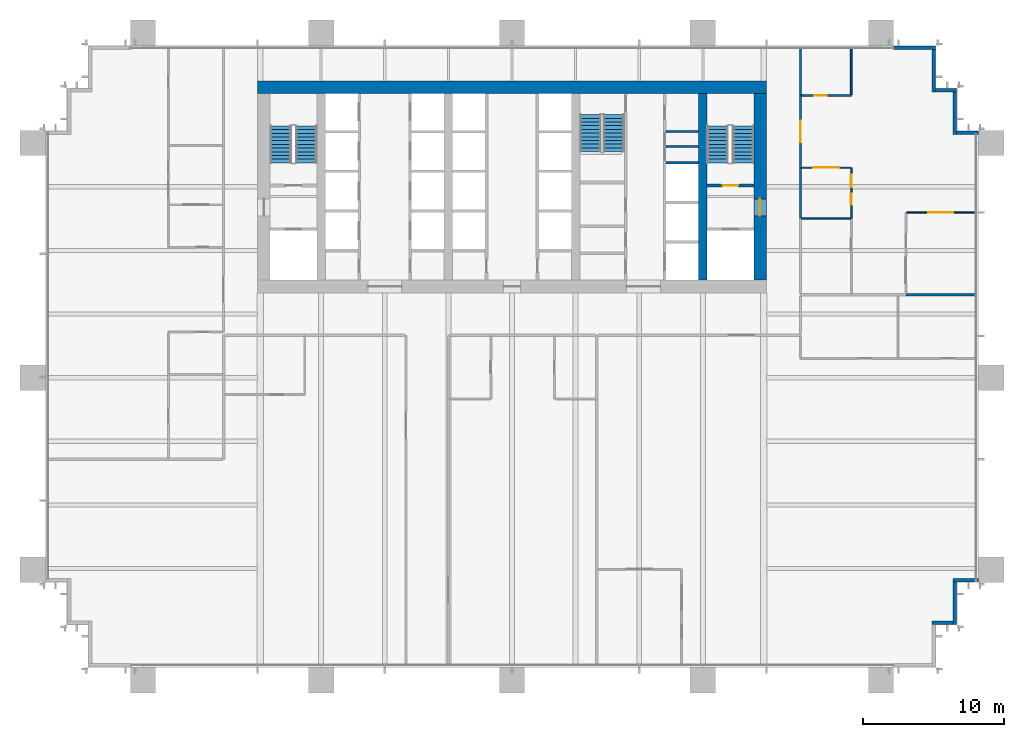
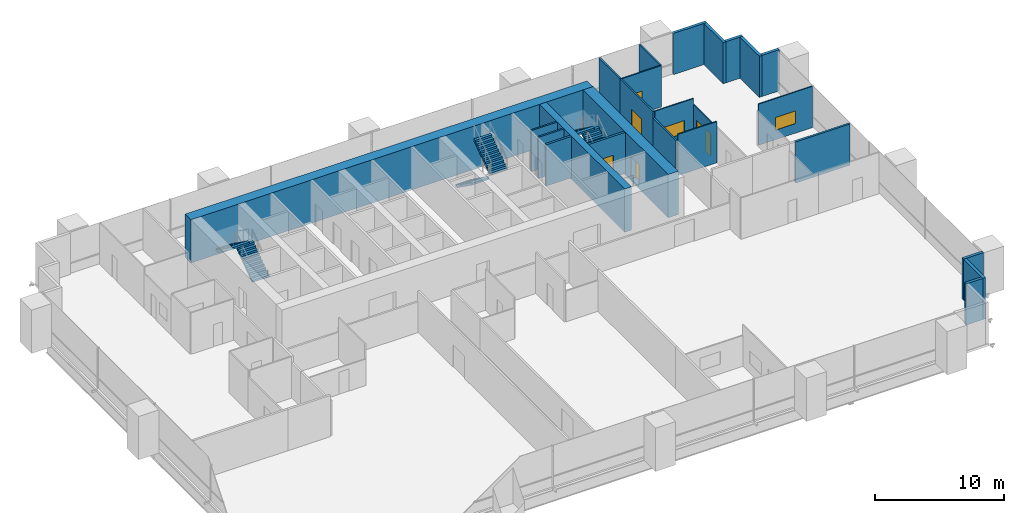
# One storey, part 14 of 17: 25 walls, 6 stair flights, 5 doors, 3 windows, 8 openings, 3 elements without a shape of their own.
"""IFC4 building model written with IfcOpenShell, lengths in metres."""

from ifc_helpers import new_model, si_unit, direction, frame, frame_2d, origin, place, context, subcontext, project, spatial, polyline, rectangle, outline, extrude, material, layer, layer_set, type_object, element, fill, aggregate, save


model = new_model("IFC4")

# Units and contexts
model_context = context("Model", 3, precision=1e-05, world=origin(), true_north=direction((0.0, 1.0)))
body_context = subcontext(model_context, "Body", "Model", "MODEL_VIEW")
ifc_project = project(units=[si_unit("LENGTHUNIT", "METRE"), si_unit("AREAUNIT", "SQUARE_METRE"), si_unit("VOLUMEUNIT", "CUBIC_METRE"), si_unit("PLANEANGLEUNIT", "RADIAN"), si_unit("MASSUNIT", "GRAM", prefix="KILO")], contexts=[model_context])

# Site, building, storey
site_placement = place(None, origin())
site = spatial("IfcSite", under=ifc_project, at=site_placement, CompositionType="ELEMENT")
building_placement = place(site_placement, origin())
building = spatial("IfcBuilding", under=site, at=building_placement, Name="Rattan Terrace Tower", CompositionType="ELEMENT")
storey_placement = place(building_placement, frame((0.0, 0.0, 48.800048828125)))
storey = spatial("IfcBuildingStorey", under=building, at=storey_placement, Name="L10", CompositionType="ELEMENT", Elevation=48.800048828125)

# Walls
ifc_material_1 = material(Name="Gypsum board partition")
ifc_layer_1 = layer(ifc_material_1, 0.14990234375)
ifc_layer_set_1 = layer_set([ifc_layer_1], Name="Core partition 150")
wall_type_1 = type_object("IfcWallType", Name="Core partition 150", PredefinedType="PARTITIONING", material=ifc_layer_set_1)
for number, where, z_axis, x_axis, name in (
    (1, (10.89990234375, 2.85595703125, 0.0), (0.0, 0.0, 1.0), (1.0, 0.0, 0.0), "Riser room wall"),
    (2, (10.89990234375, 3.912109375, 0.0), (0.0, 0.0, 1.0), (1.0, 0.0, 0.0), "Riser room wall"),
):
    element("IfcWall", number, at=place(storey_placement, frame(where, z_axis=z_axis, x_axis=x_axis)), inside=storey, type_object=wall_type_1, Name=name, PredefinedType="PARTITIONING", context=body_context, shape_type="SweptSolid", body=[
        extrude(rectangle(XDim=2.300048828125, YDim=0.14990234375, at=frame_2d((1.14990234375, 0.0))), origin(), (0.0, 0.0, 1.0), 3.89990234375),
    ])

# Wall, opening, door
ifc_material_2 = material(Name="Gypsum board partition")
ifc_layer_2 = layer(ifc_material_2, 0.199951171875)
ifc_layer_set_2 = layer_set([ifc_layer_2], Name="Core partition 200")
wall_type_2 = type_object("IfcWallType", Name="Core partition 200", PredefinedType="PARTITIONING", material=ifc_layer_set_2)
wall_1_placement = place(storey_placement, frame((13.800048828125, 0.10009765625, 0.0), z_axis=(0.0, 0.0, 1.0), x_axis=(1.0, 0.0, 0.0)))
wall_1 = element("IfcWall", 3, at=wall_1_placement, inside=storey, type_object=wall_type_2, Name="Stair enclosure wall", PredefinedType="PARTITIONING", context=body_context, shape_type="SweptSolid", body=[
    extrude(rectangle(XDim=3.300048828125, YDim=0.199951171875, at=frame_2d((1.64990234375, 0.0))), origin(), (0.0, 0.0, 1.0), 3.89990234375),
])
opening_1_placement = place(wall_1_placement, frame((1.10009765625, 0.0, 0.0)))
opening_1 = element("IfcOpeningElement", 4, at=opening_1_placement, cuts=wall_1, Name="Opening L10-D004", PredefinedType="OPENING", context=body_context, shape_type="SweptSolid", body=[
    extrude(rectangle(XDim=1.10009765625, YDim=2.10009765625, at=frame_2d((0.550048828125, 1.050048828125))), frame((0.0, 0.110595703125, 0.0), z_axis=(0.0, -1.0, 0.0), x_axis=(1.0, 0.0, 0.0)), (0.0, 0.0, 1.0), 0.220947265625),
])
ifc_material_3 = material(Name="Hollow-metal fire door leaf")
door_type_1 = type_object("IfcDoorType", Name="Core stair door 1100", OperationType="NOTDEFINED", PredefinedType="DOOR", material=ifc_material_3)
door_1_placement = place(opening_1_placement, origin())
door_1 = element("IfcDoor", 5, at=door_1_placement, inside=storey, type_object=door_type_1, Name="Door L10-D004", OperationType="SINGLE_SWING_RIGHT", OverallHeight=2.10009765625, OverallWidth=1.10009765625, PredefinedType="DOOR", context=body_context, shape_type="SweptSolid", body=[
    extrude(rectangle(XDim=1.10009765625, YDim=2.10009765625, at=frame_2d((0.550048828125, 1.050048828125))), frame((0.0, 0.02490234375, 0.0), z_axis=(0.0, -1.0, 0.0), x_axis=(1.0, 0.0, 0.0)), (0.0, 0.0, 1.0), 0.050048828125),
])
fill(opening_1, door_1)

# Wall
ifc_material_4 = material(Name="Concrete C70/85", Category="concrete")
ifc_layer_3 = layer(ifc_material_4, 0.89990234375)
ifc_layer_set_3 = layer_set([ifc_layer_3], Name="Core ring wall 900 C70/85")
wall_type_3 = type_object("IfcWallType", Name="Core ring wall 900 C70/85", PredefinedType="SHEAR", material=ifc_layer_set_3)
wall_2_placement = place(storey_placement, frame((-18.0, 7.050048828125, -0.199951171875), z_axis=(0.0, 0.0, 1.0), x_axis=(1.0, 0.0, 0.0)))
element("IfcWall", 6, at=wall_2_placement, inside=storey, type_object=wall_type_3, Name="Rear core wall north", PredefinedType="SHEAR", context=body_context, shape_type="SweptSolid", body=[
    extrude(rectangle(XDim=36.0, YDim=0.89990234375, at=frame_2d((18.0, 0.0))), origin(), (0.0, 0.0, 1.0), 4.099853515625),
])

# Wall, opening, door
wall_3_placement = place(storey_placement, frame((17.550048828125, -6.60009765625, -0.199951171875), z_axis=(0.0, 0.0, 1.0), x_axis=(0.0, 1.0, 0.0)))
wall_3 = element("IfcWall", 7, at=wall_3_placement, inside=storey, type_object=wall_type_3, Name="Rear core wall east", PredefinedType="SHEAR", context=body_context, shape_type="SweptSolid", body=[
    extrude(rectangle(XDim=13.2001953125, YDim=0.89990234375, at=frame_2d((6.60009765625, 0.0))), origin(), (0.0, 0.0, 1.0), 4.099853515625),
])
opening_2_placement = place(wall_3_placement, frame((4.550048828125, 0.0, 0.199951171875)))
opening_2 = element("IfcOpeningElement", 8, at=opening_2_placement, cuts=wall_3, Name="Opening L10-D003", PredefinedType="OPENING", context=body_context, shape_type="SweptSolid", body=[
    extrude(rectangle(XDim=1.199951171875, YDim=2.10009765625, at=frame_2d((0.60009765625, 1.050048828125))), frame((0.0, 0.46044921875, 0.0), z_axis=(0.0, -1.0, 0.0), x_axis=(1.0, 0.0, 0.0)), (0.0, 0.0, 1.0), 0.9208984375),
])
ifc_material_5 = material(Name="Hollow-metal fire door leaf")
door_type_2 = type_object("IfcDoorType", Name="Core fire-fighting lobby door 1200", OperationType="NOTDEFINED", PredefinedType="DOOR", material=ifc_material_5)
door_2_placement = place(opening_2_placement, origin())
door_2 = element("IfcDoor", 9, at=door_2_placement, inside=storey, type_object=door_type_2, Name="Door L10-D003", OperationType="SINGLE_SWING_LEFT", OverallHeight=2.10009765625, OverallWidth=1.199951171875, PredefinedType="DOOR", context=body_context, shape_type="SweptSolid", body=[
    extrude(rectangle(XDim=1.199951171875, YDim=2.10009765625, at=frame_2d((0.60009765625, 1.050048828125))), frame((0.0, 0.02490234375, 0.0), z_axis=(0.0, -1.0, 0.0), x_axis=(1.0, 0.0, 0.0)), (0.0, 0.0, 1.0), 0.050048828125),
])
fill(opening_2, door_2)

# Walls
ifc_material_6 = material(Name="Concrete C70/85", Category="concrete")
ifc_layer_4 = layer(ifc_material_6, 0.60009765625)
ifc_layer_set_4 = layer_set([ifc_layer_4], Name="Core spine wall 600 C70/85")
wall_type_4 = type_object("IfcWallType", Name="Core spine wall 600 C70/85", PredefinedType="SHEAR", material=ifc_layer_set_4)
wall_4_placement = place(storey_placement, frame((13.5, -6.60009765625, -0.199951171875), z_axis=(0.0, 0.0, 1.0), x_axis=(0.0, 1.0, 0.0)))
element("IfcWall", 10, at=wall_4_placement, inside=storey, type_object=wall_type_4, Name="Core spine wall 4", PredefinedType="SHEAR", context=body_context, shape_type="SweptSolid", body=[
    extrude(rectangle(XDim=13.2001953125, YDim=0.60009765625, at=frame_2d((6.60009765625, 0.0))), origin(), (0.0, 0.0, 1.0), 4.099853515625),
])
ifc_material_7 = material(Name="Insulated aluminium-clad stud wall", Category="aluminium")
ifc_layer_5 = layer(ifc_material_7, 0.25)
ifc_layer_set_5 = layer_set([ifc_layer_5], Name="Facade Riser Wall 250")
wall_type_5 = type_object("IfcWallType", Name="Facade Riser Wall 250", PredefinedType="SOLIDWALL", material=ifc_layer_set_5)
wall_5_placement = place(storey_placement, frame((29.705078125, -30.830078125, 0.0), z_axis=(0.0, 0.0, 1.0), x_axis=(1.0, 0.0, 0.0)))
element("IfcWall", 11, at=wall_5_placement, inside=storey, type_object=wall_type_5, Name="Riser wall L10-3", PredefinedType="SOLIDWALL", context=body_context, shape_type="SweptSolid", body=[
    extrude(rectangle(XDim=1.5, YDim=0.25, at=frame_2d((0.75, 0.0))), origin(), (0.0, 0.0, 1.0), 3.89990234375),
])
wall_6_placement = place(storey_placement, frame((31.330078125, -30.955078125, 0.0), z_axis=(0.0, 0.0, 1.0), x_axis=(0.0, 1.0, 0.0)))
element("IfcWall", 12, at=wall_6_placement, inside=storey, type_object=wall_type_5, Name="Riser wall L10-4", PredefinedType="SOLIDWALL", context=body_context, shape_type="SweptSolid", body=[
    extrude(rectangle(XDim=3.0, YDim=0.25, at=frame_2d((1.5, 0.0))), origin(), (0.0, 0.0, 1.0), 3.89990234375),
])
wall_7_placement = place(storey_placement, frame((31.205078125, -27.830078125, 0.0), z_axis=(0.0, 0.0, 1.0), x_axis=(1.0, 0.0, 0.0)))
element("IfcWall", 13, at=wall_7_placement, inside=storey, type_object=wall_type_5, Name="Riser wall L10-5", PredefinedType="SOLIDWALL", context=body_context, shape_type="SweptSolid", body=[
    extrude(rectangle(XDim=1.7998046875, YDim=0.25, at=frame_2d((0.89990234375, 0.0))), origin(), (0.0, 0.0, 1.0), 3.89990234375),
])
wall_8_placement = place(storey_placement, frame((33.0048828125, 3.830078125, 0.0), z_axis=(0.0, 0.0, 1.0), x_axis=(-1.0, 0.0, 0.0)))
element("IfcWall", 14, at=wall_8_placement, inside=storey, type_object=wall_type_5, Name="Riser wall L10-6", PredefinedType="SOLIDWALL", context=body_context, shape_type="SweptSolid", body=[
    extrude(rectangle(XDim=1.5498046875, YDim=0.25, at=frame_2d((0.77490234375, 0.0))), origin(), (0.0, 0.0, 1.0), 3.89990234375),
])
wall_9_placement = place(storey_placement, frame((31.330078125, 3.705078125, 0.0), z_axis=(0.0, 0.0, 1.0), x_axis=(0.0, 1.0, 0.0)))
element("IfcWall", 15, at=wall_9_placement, inside=storey, type_object=wall_type_5, Name="Riser wall L10-7", PredefinedType="SOLIDWALL", context=body_context, shape_type="SweptSolid", body=[
    extrude(rectangle(XDim=3.0, YDim=0.25, at=frame_2d((1.5, 0.0))), origin(), (0.0, 0.0, 1.0), 3.89990234375),
])
wall_10_placement = place(storey_placement, frame((31.455078125, 6.830078125, 0.0), z_axis=(0.0, 0.0, 1.0), x_axis=(-1.0, 0.0, 0.0)))
element("IfcWall", 16, at=wall_10_placement, inside=storey, type_object=wall_type_5, Name="Riser wall L10-8", PredefinedType="SOLIDWALL", context=body_context, shape_type="SweptSolid", body=[
    extrude(rectangle(XDim=1.5, YDim=0.25, at=frame_2d((0.75, 0.0))), origin(), (0.0, 0.0, 1.0), 3.89990234375),
])
wall_11_placement = place(storey_placement, frame((29.830078125, 6.705078125, 0.0), z_axis=(0.0, 0.0, 1.0), x_axis=(0.0, 1.0, 0.0)))
element("IfcWall", 17, at=wall_11_placement, inside=storey, type_object=wall_type_5, Name="Riser wall L10-9", PredefinedType="SOLIDWALL", context=body_context, shape_type="SweptSolid", body=[
    extrude(rectangle(XDim=3.0, YDim=0.25, at=frame_2d((1.5, 0.0))), origin(), (0.0, 0.0, 1.0), 3.89990234375),
])
wall_12_placement = place(storey_placement, frame((29.955078125, 9.830078125, 0.0), z_axis=(0.0, 0.0, 1.0), x_axis=(-1.0, 0.0, 0.0)))
element("IfcWall", 18, at=wall_12_placement, inside=storey, type_object=wall_type_5, Name="Riser wall L10-10", PredefinedType="SOLIDWALL", context=body_context, shape_type="SweptSolid", body=[
    extrude(rectangle(XDim=2.955078125, YDim=0.25, at=frame_2d((1.4775390625, 0.0))), origin(), (0.0, 0.0, 1.0), 3.89990234375),
])
ifc_material_8 = material(Name="Double steel stud acoustic partition, gypsum board, mineral wool, fire rated", Category="steel")
ifc_layer_6 = layer(ifc_material_8, 0.179931640625)
ifc_layer_set_6 = layer_set([ifc_layer_6], Name="Floors Acoustic Party Wall 180")
wall_type_6 = type_object("IfcWallType", Name="Floors Acoustic Party Wall 180", PredefinedType="PARTITIONING", material=ifc_layer_set_6)
wall_13_placement = place(storey_placement, frame((32.739990234375, -7.635986328125, 0.0), z_axis=(0.0, 0.0, 1.0), x_axis=(-1.0, 0.0, 0.0)))
element("IfcWall", 19, at=wall_13_placement, inside=storey, type_object=wall_type_6, Name="pt-L10-043", PredefinedType="PARTITIONING", context=body_context, shape_type="SweptSolid", body=[
    extrude(rectangle(XDim=4.8798828125, YDim=0.179931640625, at=frame_2d((2.43994140625, 0.0))), origin(), (0.0, 0.0, 1.0), 3.89990234375),
])

# Wall, opening, window
ifc_material_9 = material(Name="Gypsum board partition on steel studs", Category="steel")
ifc_layer_7 = layer(ifc_material_9, 0.10009765625)
ifc_layer_set_7 = layer_set([ifc_layer_7], Name="Floors Partition 100")
wall_type_7 = type_object("IfcWallType", Name="Floors Partition 100", PredefinedType="PARTITIONING", material=ifc_layer_set_7)
wall_14_placement = place(storey_placement, frame((32.739990234375, -1.818115234375, 0.0), z_axis=(0.0, 0.0, 1.0), x_axis=(-1.0, 0.0, 0.0)))
wall_14 = element("IfcWall", 20, at=wall_14_placement, inside=storey, type_object=wall_type_7, Name="pt-L10-035", PredefinedType="PARTITIONING", context=body_context, shape_type="SweptSolid", body=[
    extrude(rectangle(XDim=4.830078125, YDim=0.10009765625, at=frame_2d((2.4150390625, 0.0))), origin(), (0.0, 0.0, 1.0), 3.89990234375),
])
opening_3_placement = place(wall_14_placement, frame((1.514892578125, 0.0, 0.89990234375)))
opening_3 = element("IfcOpeningElement", 21, at=opening_3_placement, cuts=wall_14, Name="Opening L10-W103", PredefinedType="OPENING", context=body_context, shape_type="SweptSolid", body=[
    extrude(rectangle(XDim=1.800048828125, YDim=1.199951171875, at=frame_2d((0.89990234375, 0.60009765625))), frame((0.0, 0.060546875, 0.0), z_axis=(0.0, -1.0, 0.0), x_axis=(1.0, 0.0, 0.0)), (0.0, 0.0, 1.0), 0.12109375),
])
ifc_material_10 = material(Name="Glass, clear, fixed in aluminium frame", Category="aluminium")
window_type_1 = type_object("IfcWindowType", Name="Interior Vision Window 1800x1200", PartitioningType="SINGLE_PANEL", PredefinedType="WINDOW", material=ifc_material_10)
window_1_placement = place(opening_3_placement, origin())
window_1 = element("IfcWindow", 22, at=window_1_placement, inside=storey, type_object=window_type_1, Name="w-L10-103", OverallHeight=1.199951171875, OverallWidth=1.800048828125, PartitioningType="SINGLE_PANEL", PredefinedType="WINDOW", context=body_context, shape_type="SweptSolid", body=[
    extrude(rectangle(XDim=1.800048828125, YDim=1.199951171875, at=frame_2d((0.89990234375, 0.60009765625))), frame((0.0, 0.030029296875, 0.0), z_axis=(0.0, -1.0, 0.0), x_axis=(1.0, 0.0, 0.0)), (0.0, 0.0, 1.0), 0.06005859375),
])
fill(opening_3, window_1)

wall_15_placement = place(storey_placement, frame((23.949951171875, 1.364013671875, 0.0), z_axis=(0.0, 0.0, 1.0), x_axis=(-1.0, 0.0, 0.0)))
wall_15 = element("IfcWall", 23, at=wall_15_placement, inside=storey, type_object=wall_type_7, Name="pt-L10-037", PredefinedType="PARTITIONING", context=body_context, shape_type="SweptSolid", body=[
    extrude(rectangle(XDim=3.474853515625, YDim=0.10009765625, at=frame_2d((1.7373046875, 0.0))), origin(), (0.0, 0.0, 1.0), 3.89990234375),
])
opening_4_placement = place(wall_15_placement, frame((0.8369140625, 0.0, 0.89990234375)))
opening_4 = element("IfcOpeningElement", 24, at=opening_4_placement, cuts=wall_15, Name="Opening L10-W104", PredefinedType="OPENING", context=body_context, shape_type="SweptSolid", body=[
    extrude(rectangle(XDim=1.800048828125, YDim=1.199951171875, at=frame_2d((0.89990234375, 0.60009765625))), frame((0.0, 0.060546875, 0.0), z_axis=(0.0, -1.0, 0.0), x_axis=(1.0, 0.0, 0.0)), (0.0, 0.0, 1.0), 0.12109375),
])
window_2_placement = place(opening_4_placement, origin())
window_2 = element("IfcWindow", 25, at=window_2_placement, inside=storey, type_object=window_type_1, Name="w-L10-104", OverallHeight=1.199951171875, OverallWidth=1.800048828125, PartitioningType="SINGLE_PANEL", PredefinedType="WINDOW", context=body_context, shape_type="SweptSolid", body=[
    extrude(rectangle(XDim=1.800048828125, YDim=1.199951171875, at=frame_2d((0.89990234375, 0.60009765625))), frame((0.0, 0.030029296875, 0.0), z_axis=(0.0, -1.0, 0.0), x_axis=(1.0, 0.0, 0.0)), (0.0, 0.0, 1.0), 0.06005859375),
])
fill(opening_4, window_2)

# Wall, openings, door, window
wall_16_placement = place(storey_placement, frame((24.0, -2.216064453125, 0.0), z_axis=(0.0, 0.0, 1.0), x_axis=(0.0, 1.0, 0.0)))
wall_16 = element("IfcWall", 26, at=wall_16_placement, inside=storey, type_object=wall_type_7, Name="pt-L10-038", PredefinedType="PARTITIONING", context=body_context, shape_type="SweptSolid", body=[
    extrude(rectangle(XDim=3.580078125, YDim=0.10009765625, at=frame_2d((1.7900390625, 0.0))), origin(), (0.0, 0.0, 1.0), 3.300048828125),
])
opening_5_placement = place(wall_16_placement, frame((0.93408203125, 0.0, 0.0)))
opening_5 = element("IfcOpeningElement", 27, at=opening_5_placement, cuts=wall_16, Name="Opening L10-D109", PredefinedType="OPENING", context=body_context, shape_type="SweptSolid", body=[
    extrude(rectangle(XDim=0.800048828125, YDim=2.10009765625, at=frame_2d((0.39990234375, 1.050048828125))), frame((0.0, 0.060546875, 0.0), z_axis=(0.0, -1.0, 0.0), x_axis=(1.0, 0.0, 0.0)), (0.0, 0.0, 1.0), 0.12109375),
])
opening_6_placement = place(wall_16_placement, frame((2.181884765625, 0.0, 0.89990234375)))
opening_6 = element("IfcOpeningElement", 28, at=opening_6_placement, cuts=wall_16, Name="Opening L10-W105", PredefinedType="OPENING", context=body_context, shape_type="SweptSolid", body=[
    extrude(rectangle(XDim=0.89990234375, YDim=1.199951171875, at=frame_2d((0.449951171875, 0.60009765625))), frame((0.0, 0.060546875, 0.0), z_axis=(0.0, -1.0, 0.0), x_axis=(1.0, 0.0, 0.0)), (0.0, 0.0, 1.0), 0.12109375),
])
ifc_material_11 = material(Name="Solid core timber door, painted", Category="wood")
door_type_3 = type_object("IfcDoorType", Name="Floors Store Door 800x2100", OperationType="NOTDEFINED", PredefinedType="DOOR", material=ifc_material_11)
door_3_placement = place(opening_5_placement, origin())
door_3 = element("IfcDoor", 29, at=door_3_placement, inside=storey, type_object=door_type_3, Name="d-L10-109", OperationType="SINGLE_SWING_LEFT", OverallHeight=2.10009765625, OverallWidth=0.800048828125, PredefinedType="DOOR", context=body_context, shape_type="SweptSolid", body=[
    extrude(rectangle(XDim=0.800048828125, YDim=2.10009765625, at=frame_2d((0.39990234375, 1.050048828125))), frame((0.0, 0.02490234375, 0.0), z_axis=(0.0, -1.0, 0.0), x_axis=(1.0, 0.0, 0.0)), (0.0, 0.0, 1.0), 0.050048828125),
])
fill(opening_5, door_3)
ifc_material_12 = material(Name="Glass, clear, fixed in aluminium frame", Category="aluminium")
window_type_2 = type_object("IfcWindowType", Name="Interior Vision Window 900x1200", PartitioningType="SINGLE_PANEL", PredefinedType="WINDOW", material=ifc_material_12)
window_3_placement = place(opening_6_placement, origin())
window_3 = element("IfcWindow", 30, at=window_3_placement, inside=storey, type_object=window_type_2, Name="w-L10-105", OverallHeight=1.199951171875, OverallWidth=0.89990234375, PartitioningType="SINGLE_PANEL", PredefinedType="WINDOW", context=body_context, shape_type="SweptSolid", body=[
    extrude(rectangle(XDim=0.89990234375, YDim=1.199951171875, at=frame_2d((0.449951171875, 0.60009765625))), frame((0.0, 0.030029296875, 0.0), z_axis=(0.0, -1.0, 0.0), x_axis=(1.0, 0.0, 0.0)), (0.0, 0.0, 1.0), 0.06005859375),
])
fill(opening_6, window_3)

# Wall
wall_17_placement = place(storey_placement, frame((20.47509765625, -2.236083984375, 0.0), z_axis=(0.0, 0.0, 1.0), x_axis=(1.0, 0.0, 0.0)))
element("IfcWall", 31, at=wall_17_placement, inside=storey, type_object=wall_type_7, Name="pt-L10-044", PredefinedType="PARTITIONING", context=body_context, shape_type="SweptSolid", body=[
    extrude(rectangle(XDim=3.474853515625, YDim=0.10009765625, at=frame_2d((1.7373046875, 0.0))), origin(), (0.0, 0.0, 1.0), 3.89990234375),
])

# Wall, opening, door
ifc_material_13 = material(Name="Gypsum board partition on steel studs, fire rated", Category="steel")
ifc_layer_8 = layer(ifc_material_13, 0.14990234375)
ifc_layer_set_8 = layer_set([ifc_layer_8], Name="Floors Tenancy Wall 150")
wall_type_8 = type_object("IfcWallType", Name="Floors Tenancy Wall 150", PredefinedType="PARTITIONING", material=ifc_layer_set_8)
wall_18_placement = place(storey_placement, frame((20.39990234375, 6.48388671875, 0.0), z_axis=(0.0, 0.0, 1.0), x_axis=(0.0, -1.0, 0.0)))
wall_18 = element("IfcWall", 32, at=wall_18_placement, inside=storey, type_object=wall_type_8, Name="pt-L10-005", PredefinedType="PARTITIONING", context=body_context, shape_type="SweptSolid", body=[
    extrude(rectangle(XDim=5.139892578125, YDim=0.14990234375, at=frame_2d((2.56982421875, 0.0))), origin(), (0.0, 0.0, 1.0), 3.89990234375),
])
opening_7_placement = place(wall_18_placement, frame((1.820068359375, 0.0, 0.0)))
opening_7 = element("IfcOpeningElement", 33, at=opening_7_placement, cuts=wall_18, Name="Opening L10-D106", PredefinedType="OPENING", context=body_context, shape_type="SweptSolid", body=[
    extrude(rectangle(XDim=1.5, YDim=2.10009765625, at=frame_2d((0.75, 1.050048828125))), frame((0.0, 0.08544921875, 0.0), z_axis=(0.0, -1.0, 0.0), x_axis=(1.0, 0.0, 0.0)), (0.0, 0.0, 1.0), 0.1708984375),
])
ifc_material_14 = material(Name="Steel fire door set", Category="steel")
door_type_4 = type_object("IfcDoorType", Name="Floors Unit Door Pair FD30S 1500x2100", OperationType="NOTDEFINED", PredefinedType="DOOR", material=ifc_material_14)
door_4_placement = place(opening_7_placement, origin())
door_4 = element("IfcDoor", 34, at=door_4_placement, inside=storey, type_object=door_type_4, Name="d-L10-106", OperationType="DOUBLE_DOOR_SINGLE_SWING", OverallHeight=2.10009765625, OverallWidth=1.5, PredefinedType="DOOR", context=body_context, shape_type="SweptSolid", body=[
    extrude(rectangle(XDim=1.5, YDim=2.10009765625, at=frame_2d((0.75, 1.050048828125))), frame((0.0, 0.02490234375, 0.0), z_axis=(0.0, -1.0, 0.0), x_axis=(1.0, 0.0, 0.0)), (0.0, 0.0, 1.0), 0.050048828125),
])
fill(opening_7, door_4)

# Walls
wall_19_placement = place(storey_placement, frame((20.39990234375, 1.343994140625, 0.0), z_axis=(0.0, 0.0, 1.0), x_axis=(0.0, -1.0, 0.0)))
element("IfcWall", 35, at=wall_19_placement, inside=storey, type_object=wall_type_8, Name="pt-L10-007", PredefinedType="PARTITIONING", context=body_context, shape_type="SweptSolid", body=[
    extrude(rectangle(XDim=3.56005859375, YDim=0.14990234375, at=frame_2d((1.780029296875, 0.0))), origin(), (0.0, 0.0, 1.0), 3.300048828125),
])
wall_20_placement = place(storey_placement, frame((20.39990234375, 9.739990234375, 0.0), z_axis=(0.0, 0.0, 1.0), x_axis=(0.0, -1.0, 0.0)))
element("IfcWall", 36, at=wall_20_placement, inside=storey, type_object=wall_type_8, Name="pt-L10-008", PredefinedType="PARTITIONING", context=body_context, shape_type="SweptSolid", body=[
    extrude(rectangle(XDim=3.256103515625, YDim=0.14990234375, at=frame_2d((1.6279296875, 0.0))), origin(), (0.0, 0.0, 1.0), 3.89990234375),
])

# Wall, opening, door
ifc_material_15 = material(Name="Moisture resistant gypsum board partition on steel studs with service cavity", Category="steel")
ifc_layer_9 = layer(ifc_material_15, 0.1201171875)
ifc_layer_set_9 = layer_set([ifc_layer_9], Name="Floors Wet Wall 120")
wall_type_9 = type_object("IfcWallType", Name="Floors Wet Wall 120", PredefinedType="PARTITIONING", material=ifc_layer_set_9)
wall_21_placement = place(storey_placement, frame((20.47509765625, 6.464111328125, 0.0), z_axis=(0.0, 0.0, 1.0), x_axis=(1.0, 0.0, 0.0)))
wall_21 = element("IfcWall", 37, at=wall_21_placement, inside=storey, type_object=wall_type_9, Name="pt-L10-039", PredefinedType="PARTITIONING", context=body_context, shape_type="SweptSolid", body=[
    extrude(rectangle(XDim=3.52490234375, YDim=0.1201171875, at=frame_2d((1.762451171875, 0.0))), origin(), (0.0, 0.0, 1.0), 3.89990234375),
])
opening_8_placement = place(wall_21_placement, frame((0.886962890625, 0.0, 0.0)))
opening_8 = element("IfcOpeningElement", 38, at=opening_8_placement, cuts=wall_21, Name="Opening L10-D110", PredefinedType="OPENING", context=body_context, shape_type="SweptSolid", body=[
    extrude(rectangle(XDim=0.89990234375, YDim=2.10009765625, at=frame_2d((0.449951171875, 1.050048828125))), frame((0.0, 0.070556640625, 0.0), z_axis=(0.0, -1.0, 0.0), x_axis=(1.0, 0.0, 0.0)), (0.0, 0.0, 1.0), 0.14111328125),
])
ifc_material_16 = material(Name="Solid core timber door, painted", Category="wood")
door_type_5 = type_object("IfcDoorType", Name="Floors Door 900x2100", OperationType="NOTDEFINED", PredefinedType="DOOR", material=ifc_material_16)
door_5_placement = place(opening_8_placement, origin())
door_5 = element("IfcDoor", 39, at=door_5_placement, inside=storey, type_object=door_type_5, Name="d-L10-110", OperationType="SINGLE_SWING_LEFT", OverallHeight=2.10009765625, OverallWidth=0.89990234375, PredefinedType="DOOR", context=body_context, shape_type="SweptSolid", body=[
    extrude(rectangle(XDim=0.89990234375, YDim=2.10009765625, at=frame_2d((0.449951171875, 1.050048828125))), frame((0.0, 0.02490234375, 0.0), z_axis=(0.0, -1.0, 0.0), x_axis=(1.0, 0.0, 0.0)), (0.0, 0.0, 1.0), 0.050048828125),
])
fill(opening_8, door_5)

# Walls
wall_22_placement = place(storey_placement, frame((24.0, 6.52392578125, 0.0), z_axis=(0.0, 0.0, 1.0), x_axis=(0.0, 1.0, 0.0)))
element("IfcWall", 40, at=wall_22_placement, inside=storey, type_object=wall_type_9, Name="pt-L10-040", PredefinedType="PARTITIONING", context=body_context, shape_type="SweptSolid", body=[
    extrude(rectangle(XDim=3.216064453125, YDim=0.1201171875, at=frame_2d((1.60791015625, 0.0))), origin(), (0.0, 0.0, 1.0), 3.89990234375),
])
ifc_material_17 = material(Name="Gypsum shaft wall system")
ifc_layer_10 = layer(ifc_material_17, 0.199951171875)
ifc_layer_set_10 = layer_set([ifc_layer_10], Name="Lift shaft wall 200")
wall_type_10 = type_object("IfcWallType", Name="Lift shaft wall 200", PredefinedType="PARTITIONING", material=ifc_layer_set_10)
wall_23_placement = place(storey_placement, frame((10.89990234375, 1.699951171875, 0.0), z_axis=(0.0, 0.0, 1.0), x_axis=(1.0, 0.0, 0.0)))
element("IfcWall", 41, at=wall_23_placement, inside=storey, type_object=wall_type_10, Name="Lift shaft wall", PredefinedType="PARTITIONING", context=body_context, shape_type="SweptSolid", body=[
    extrude(rectangle(XDim=2.300048828125, YDim=0.199951171875, at=frame_2d((1.14990234375, 0.0))), origin(), (0.0, 0.0, 1.0), 3.89990234375),
])

# Stair, stair flights
ifc_material_18 = material(Name="Concrete C40/50", Category="concrete")
stair_type = type_object("IfcStairType", Name="Core exit stair 1500", PredefinedType="HALF_TURN_STAIR", material=ifc_material_18)
stair_1_placement = place(storey_placement, origin())
stair_1 = element("IfcStair", 42, at=stair_1_placement, inside=storey, type_object=stair_type, Name="L10 exit stair 1", PredefinedType="HALF_TURN_STAIR")
ifc_material_19 = material(Name="Concrete C40/50", Category="concrete")
stair_flight_type = type_object("IfcStairFlightType", Name="Core exit stair flight 1500", PredefinedType="STRAIGHT", material=ifc_material_19)
stair_flight_1_placement = place(storey_placement, frame((-14.550048828125, 1.699951171875, 0.0), z_axis=(0.0, 0.0, 1.0), x_axis=(0.0, 1.0, 0.0)))
stair_flight_1 = element("IfcStairFlight", 43, at=stair_flight_1_placement, type_object=stair_flight_type, Name="S1 flight 1", NumberOfRisers=11, NumberOfTreads=10, PredefinedType="STRAIGHT", RiserHeight=0.186363636, TreadLength=0.26, context=body_context, shape_type="SweptSolid", body=[
    extrude(outline(polyline([(0.0, 0.0), (0.0, 0.186279296875), (0.260009765625, 0.186279296875), (0.260009765625, 0.372802734375), (0.52001953125, 0.372802734375), (0.52001953125, 0.55908203125), (0.780029296875, 0.55908203125), (0.780029296875, 0.745361328125), (1.0400390625, 0.745361328125), (1.0400390625, 0.931884765625), (1.300048828125, 0.931884765625), (1.300048828125, 1.1181640625), (1.56005859375, 1.1181640625), (1.56005859375, 1.304443359375), (1.820068359375, 1.304443359375), (1.820068359375, 1.490966796875), (2.080078125, 1.490966796875), (2.080078125, 1.67724609375), (2.340087890625, 1.67724609375), (2.340087890625, 1.863525390625), (2.60009765625, 1.863525390625), (2.60009765625, 2.050048828125), (2.60009765625, 1.67919921875), (0.25732421875, 0.0), (0.0, 0.0)])), frame((0.0, 0.75, 0.0), z_axis=(0.0, -1.0, 0.0), x_axis=(1.0, 0.0, 0.0)), (0.0, 0.0, 1.0), 1.5),
])
stair_flight_2_placement = place(storey_placement, frame((-16.35009765625, 4.300048828125, 2.050048828125), z_axis=(0.0, 0.0, 1.0), x_axis=(0.0, -1.0, 0.0)))
stair_flight_2 = element("IfcStairFlight", 44, at=stair_flight_2_placement, type_object=stair_flight_type, Name="S1 flight 2", NumberOfRisers=11, NumberOfTreads=10, PredefinedType="STRAIGHT", RiserHeight=0.186363636, TreadLength=0.26, context=body_context, shape_type="SweptSolid", body=[
    extrude(outline(polyline([(0.0, 0.0), (0.0, 0.186279296875), (0.260009765625, 0.186279296875), (0.260009765625, 0.372802734375), (0.52001953125, 0.372802734375), (0.52001953125, 0.55908203125), (0.780029296875, 0.55908203125), (0.780029296875, 0.745361328125), (1.0400390625, 0.745361328125), (1.0400390625, 0.931884765625), (1.300048828125, 0.931884765625), (1.300048828125, 1.1181640625), (1.56005859375, 1.1181640625), (1.56005859375, 1.304443359375), (1.820068359375, 1.304443359375), (1.820068359375, 1.490966796875), (2.080078125, 1.490966796875), (2.080078125, 1.67724609375), (2.340087890625, 1.67724609375), (2.340087890625, 1.863525390625), (2.60009765625, 1.863525390625), (2.60009765625, 2.050048828125), (2.60009765625, 1.67919921875), (0.25732421875, 0.0), (0.0, 0.0)])), frame((0.0, 0.75, 0.0), z_axis=(0.0, -1.0, 0.0), x_axis=(1.0, 0.0, 0.0)), (0.0, 0.0, 1.0), 1.5),
])
aggregate(stair_1, [stair_flight_1, stair_flight_2])

stair_2_placement = place(storey_placement, origin())
stair_2 = element("IfcStair", 45, at=stair_2_placement, inside=storey, type_object=stair_type, Name="L10 exit stair 2", PredefinedType="HALF_TURN_STAIR")
stair_flight_3_placement = place(storey_placement, frame((16.35009765625, 1.699951171875, 0.0), z_axis=(0.0, 0.0, 1.0), x_axis=(0.0, 1.0, 0.0)))
stair_flight_3 = element("IfcStairFlight", 46, at=stair_flight_3_placement, type_object=stair_flight_type, Name="S2 flight 1", NumberOfRisers=11, NumberOfTreads=10, PredefinedType="STRAIGHT", RiserHeight=0.186363636, TreadLength=0.26, context=body_context, shape_type="SweptSolid", body=[
    extrude(outline(polyline([(0.0, 0.0), (0.0, 0.186279296875), (0.260009765625, 0.186279296875), (0.260009765625, 0.372802734375), (0.52001953125, 0.372802734375), (0.52001953125, 0.55908203125), (0.780029296875, 0.55908203125), (0.780029296875, 0.745361328125), (1.0400390625, 0.745361328125), (1.0400390625, 0.931884765625), (1.300048828125, 0.931884765625), (1.300048828125, 1.1181640625), (1.56005859375, 1.1181640625), (1.56005859375, 1.304443359375), (1.820068359375, 1.304443359375), (1.820068359375, 1.490966796875), (2.080078125, 1.490966796875), (2.080078125, 1.67724609375), (2.340087890625, 1.67724609375), (2.340087890625, 1.863525390625), (2.60009765625, 1.863525390625), (2.60009765625, 2.050048828125), (2.60009765625, 1.67919921875), (0.25732421875, 0.0), (0.0, 0.0)])), frame((0.0, 0.75, 0.0), z_axis=(0.0, -1.0, 0.0), x_axis=(1.0, 0.0, 0.0)), (0.0, 0.0, 1.0), 1.5),
])
stair_flight_4_placement = place(storey_placement, frame((14.550048828125, 4.300048828125, 2.050048828125), z_axis=(0.0, 0.0, 1.0), x_axis=(0.0, -1.0, 0.0)))
stair_flight_4 = element("IfcStairFlight", 47, at=stair_flight_4_placement, type_object=stair_flight_type, Name="S2 flight 2", NumberOfRisers=11, NumberOfTreads=10, PredefinedType="STRAIGHT", RiserHeight=0.186363636, TreadLength=0.26, context=body_context, shape_type="SweptSolid", body=[
    extrude(outline(polyline([(0.0, 0.0), (0.0, 0.186279296875), (0.260009765625, 0.186279296875), (0.260009765625, 0.372802734375), (0.52001953125, 0.372802734375), (0.52001953125, 0.55908203125), (0.780029296875, 0.55908203125), (0.780029296875, 0.745361328125), (1.0400390625, 0.745361328125), (1.0400390625, 0.931884765625), (1.300048828125, 0.931884765625), (1.300048828125, 1.1181640625), (1.56005859375, 1.1181640625), (1.56005859375, 1.304443359375), (1.820068359375, 1.304443359375), (1.820068359375, 1.490966796875), (2.080078125, 1.490966796875), (2.080078125, 1.67724609375), (2.340087890625, 1.67724609375), (2.340087890625, 1.863525390625), (2.60009765625, 1.863525390625), (2.60009765625, 2.050048828125), (2.60009765625, 1.67919921875), (0.25732421875, 0.0), (0.0, 0.0)])), frame((0.0, 0.75, 0.0), z_axis=(0.0, -1.0, 0.0), x_axis=(1.0, 0.0, 0.0)), (0.0, 0.0, 1.0), 1.5),
])
aggregate(stair_2, [stair_flight_3, stair_flight_4])

stair_3_placement = place(storey_placement, origin())
stair_3 = element("IfcStair", 48, at=stair_3_placement, inside=storey, type_object=stair_type, Name="L10 exit stair 3", PredefinedType="HALF_TURN_STAIR")
stair_flight_5_placement = place(storey_placement, frame((5.550048828125, 5.10009765625, 0.0), z_axis=(0.0, 0.0, 1.0), x_axis=(0.0, -1.0, 0.0)))
stair_flight_5 = element("IfcStairFlight", 49, at=stair_flight_5_placement, type_object=stair_flight_type, Name="S3 flight 1", NumberOfRisers=11, NumberOfTreads=10, PredefinedType="STRAIGHT", RiserHeight=0.186363636, TreadLength=0.26, context=body_context, shape_type="SweptSolid", body=[
    extrude(outline(polyline([(0.0, 0.0), (0.0, 0.186279296875), (0.260009765625, 0.186279296875), (0.260009765625, 0.372802734375), (0.52001953125, 0.372802734375), (0.52001953125, 0.55908203125), (0.780029296875, 0.55908203125), (0.780029296875, 0.745361328125), (1.0400390625, 0.745361328125), (1.0400390625, 0.931884765625), (1.300048828125, 0.931884765625), (1.300048828125, 1.1181640625), (1.56005859375, 1.1181640625), (1.56005859375, 1.304443359375), (1.820068359375, 1.304443359375), (1.820068359375, 1.490966796875), (2.080078125, 1.490966796875), (2.080078125, 1.67724609375), (2.340087890625, 1.67724609375), (2.340087890625, 1.863525390625), (2.60009765625, 1.863525390625), (2.60009765625, 2.050048828125), (2.60009765625, 1.67919921875), (0.25732421875, 0.0), (0.0, 0.0)])), frame((0.0, 0.75, 0.0), z_axis=(0.0, -1.0, 0.0), x_axis=(1.0, 0.0, 0.0)), (0.0, 0.0, 1.0), 1.5),
])
stair_flight_6_placement = place(storey_placement, frame((7.199951171875, 2.5, 2.050048828125), z_axis=(0.0, 0.0, 1.0), x_axis=(0.0, 1.0, 0.0)))
stair_flight_6 = element("IfcStairFlight", 50, at=stair_flight_6_placement, type_object=stair_flight_type, Name="S3 flight 2", NumberOfRisers=11, NumberOfTreads=10, PredefinedType="STRAIGHT", RiserHeight=0.186363636, TreadLength=0.26, context=body_context, shape_type="SweptSolid", body=[
    extrude(outline(polyline([(0.0, 0.0), (0.0, 0.186279296875), (0.260009765625, 0.186279296875), (0.260009765625, 0.372802734375), (0.52001953125, 0.372802734375), (0.52001953125, 0.55908203125), (0.780029296875, 0.55908203125), (0.780029296875, 0.745361328125), (1.0400390625, 0.745361328125), (1.0400390625, 0.931884765625), (1.300048828125, 0.931884765625), (1.300048828125, 1.1181640625), (1.56005859375, 1.1181640625), (1.56005859375, 1.304443359375), (1.820068359375, 1.304443359375), (1.820068359375, 1.490966796875), (2.080078125, 1.490966796875), (2.080078125, 1.67724609375), (2.340087890625, 1.67724609375), (2.340087890625, 1.863525390625), (2.60009765625, 1.863525390625), (2.60009765625, 2.050048828125), (2.60009765625, 1.67919921875), (0.25732421875, 0.0), (0.0, 0.0)])), frame((0.0, 0.75, 0.0), z_axis=(0.0, -1.0, 0.0), x_axis=(1.0, 0.0, 0.0)), (0.0, 0.0, 1.0), 1.5),
])
aggregate(stair_3, [stair_flight_5, stair_flight_6])

save(model, "model.ifc")
